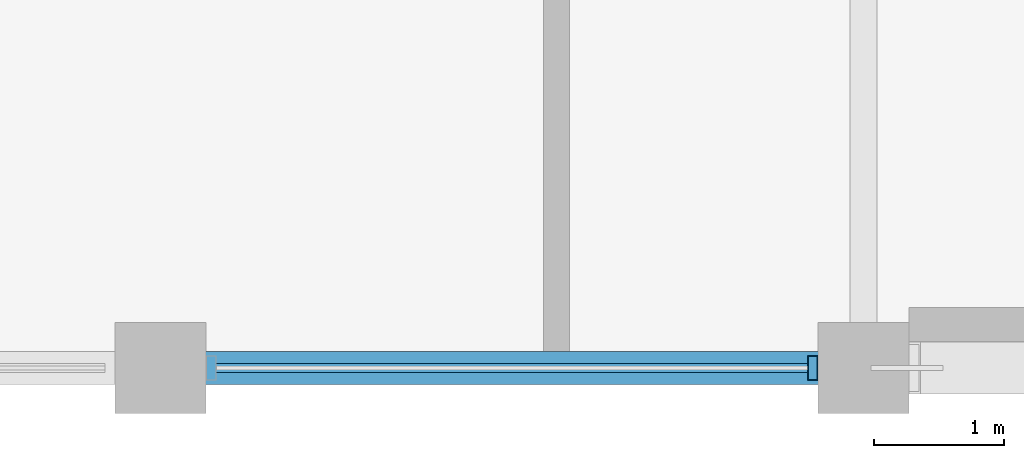
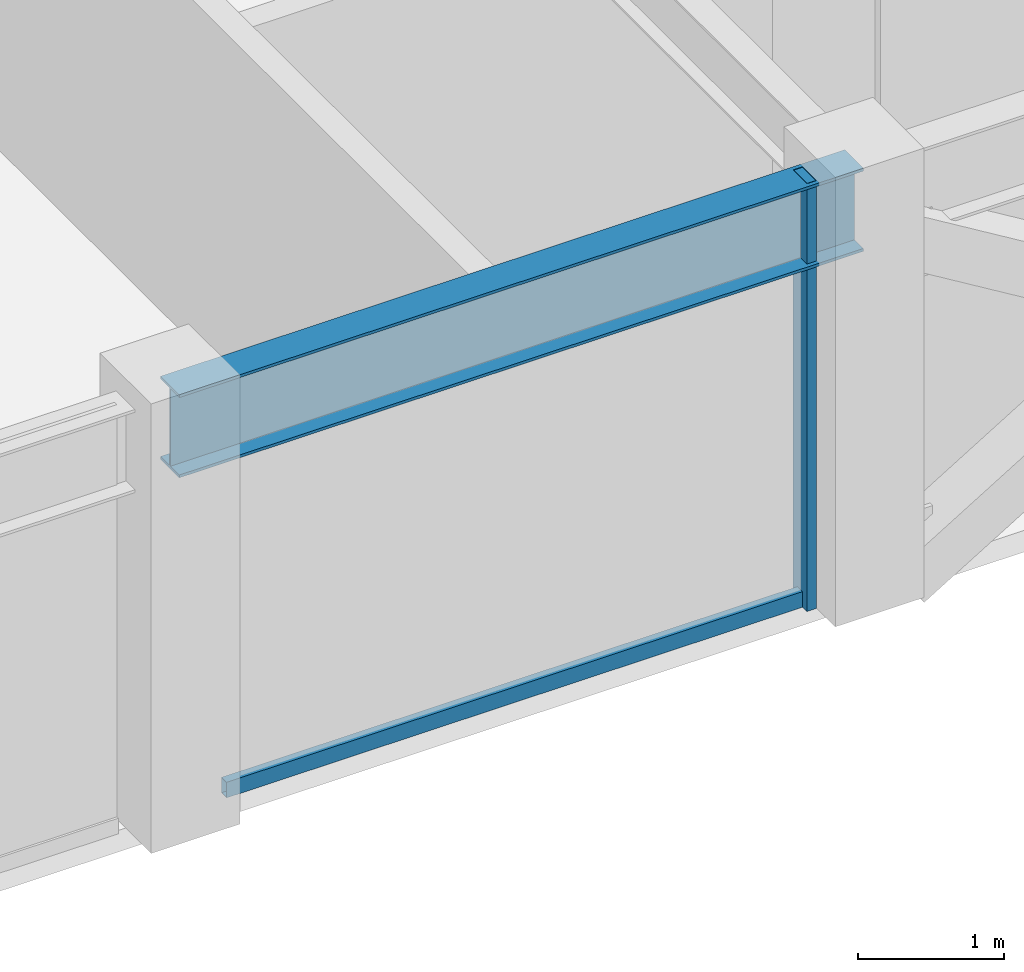
# One storey, part 3 of 30: 2 members, 1 beam, 1 element without a shape of its own.
"""IFC4 building model written with IfcOpenShell, lengths in metres."""

from ifc_helpers import new_model, si_unit, direction, frame, origin, origin_2d, place, context, subcontext, project, spatial, hollow_rectangle, i_section, extrude, material, layer, layer_set, material_profile, profile_set, type_object, element, aggregate, save


model = new_model("IFC4")

# Units and contexts
model_context = context("Model", 3, precision=1e-05, world=origin(), true_north=direction((0.0, 1.0)))
body_context = subcontext(model_context, "Body", "Model", "MODEL_VIEW")
ifc_project = project(units=[si_unit("LENGTHUNIT", "METRE"), si_unit("AREAUNIT", "SQUARE_METRE"), si_unit("VOLUMEUNIT", "CUBIC_METRE"), si_unit("PLANEANGLEUNIT", "RADIAN"), si_unit("MASSUNIT", "GRAM", prefix="KILO")], contexts=[model_context])

# Site, building, storey
site_placement = place(None, origin())
site = spatial("IfcSite", under=ifc_project, at=site_placement, CompositionType="ELEMENT")
building_placement = place(site_placement, origin())
building = spatial("IfcBuilding", under=site, at=building_placement, Name="Surkhivell Harbour Commons", CompositionType="ELEMENT")
storey_placement = place(building_placement, frame((0.0, 0.0, 292.5)))
storey = spatial("IfcBuildingStorey", under=building, at=storey_placement, Name="L76", CompositionType="ELEMENT", Elevation=292.5)

# Beam
ifc_material_1 = material(Name="Steel S355", Category="steel")
ifc_material_profile_1 = material_profile(ifc_material_1, i_section(OverallWidth=0.256103515625, OverallDepth=0.693115234375, WebThickness=0.014404296875, FlangeThickness=0.023681640625, at=origin_2d()), Name="UB686x254x170")
ifc_profile_set_1 = profile_set([ifc_material_profile_1], Name="Steel S355")
beam_type = type_object("IfcBeamType", Name="BM-SPN-686", PredefinedType="SPANDREL", material=ifc_profile_set_1)
beam_placement = place(storey_placement, frame((-16.199951171875, -21.60009765625, 3.223388671875), z_axis=(1.0, 0.0, 0.0), x_axis=(0.0, 1.0, 0.0)))
element("IfcBeam", 1, at=beam_placement, inside=storey, type_object=beam_type, Name="L76 Tube Spandrel (-16.2,-21.6)", PredefinedType="SPANDREL", context=body_context, shape_type="SweptSolid", body=[
    extrude(i_section(OverallWidth=0.256103515625, OverallDepth=0.693115234375, WebThickness=0.014404296875, FlangeThickness=0.023681640625, at=origin_2d()), origin(), (0.0, 0.0, 1.0), 5.39990234375),
])

# Curtain wall, members
ifc_material_2 = material(Name="Anodised pale-metal aluminium and insulated glazing", Category="aluminium")
ifc_layer = layer(ifc_material_2, 0.175048828125)
ifc_layer_set = layer_set([ifc_layer], Name="Anodised pale-metal aluminium and insulated glazing")
curtain_wall_type = type_object("IfcCurtainWallType", Name="CW-SYS-Z4", PredefinedType="NOTDEFINED", material=ifc_layer_set)
curtain_wall_placement = place(storey_placement, origin())
curtain_wall = element("IfcCurtainWall", 2, at=curtain_wall_placement, inside=storey, type_object=curtain_wall_type, Name="L76 Curtain Wall CW-L76-E00S1", PredefinedType="NOTDEFINED")
ifc_material_3 = material(Name="Anodised pale-metal aluminium alloy 6063-T6", Category="aluminium")
ifc_material_profile_2 = material_profile(ifc_material_3, hollow_rectangle(XDim=0.074951171875, YDim=0.18994140625, WallThickness=0.00390625, at=origin_2d()), Name="ALU-MULL-75x190")
ifc_profile_set_2 = profile_set([ifc_material_profile_2], Name="Anodised pale-metal aluminium alloy 6063-T6")
member_type_1 = type_object("IfcMemberType", Name="CWM-190", PredefinedType="MULLION", material=ifc_profile_set_2)
member_1_placement = place(storey_placement, frame((-11.189453125, -21.60009765625, 0.0), z_axis=(0.0, 0.0, 1.0), x_axis=(1.0, 0.0, 0.0)))
member_1 = element("IfcMember", 3, at=member_1_placement, type_object=member_type_1, Name="CW-Z4 mullion 3", PredefinedType="MULLION", context=body_context, shape_type="SweptSolid", body=[
    extrude(hollow_rectangle(XDim=0.074951171875, YDim=0.18994140625, WallThickness=0.00390625, at=origin_2d()), origin(), (0.0, 0.0, 1.0), 3.570068359375),
])
ifc_material_4 = material(Name="Champagne anodised aluminium alloy 6063-T6", Category="aluminium")
ifc_material_profile_3 = material_profile(ifc_material_4, hollow_rectangle(XDim=0.070068359375, YDim=0.1298828125, WallThickness=0.00341796875, at=origin_2d()), Name="ALU-TRAN-70x130")
ifc_profile_set_3 = profile_set([ifc_material_profile_3], Name="Champagne anodised aluminium alloy 6063-T6")
member_type_2 = type_object("IfcMemberType", Name="CWT-130", PredefinedType="USERDEFINED", material=ifc_profile_set_3)
member_2_placement = place(storey_placement, frame((-15.77294921875, -21.60009765625, 0.06494140625), z_axis=(1.0, 0.0, 0.0), x_axis=(0.0, 1.0, 0.0)))
member_2 = element("IfcMember", 4, at=member_2_placement, type_object=member_type_2, Name="CW-Z4 transom 2.1", ObjectType="TRANSOM", PredefinedType="USERDEFINED", context=body_context, shape_type="SweptSolid", body=[
    extrude(hollow_rectangle(XDim=0.070068359375, YDim=0.1298828125, WallThickness=0.00341796875, at=origin_2d()), origin(), (0.0, 0.0, 1.0), 4.5458984375),
])
aggregate(curtain_wall, [member_1, member_2])

save(model, "model.ifc")
